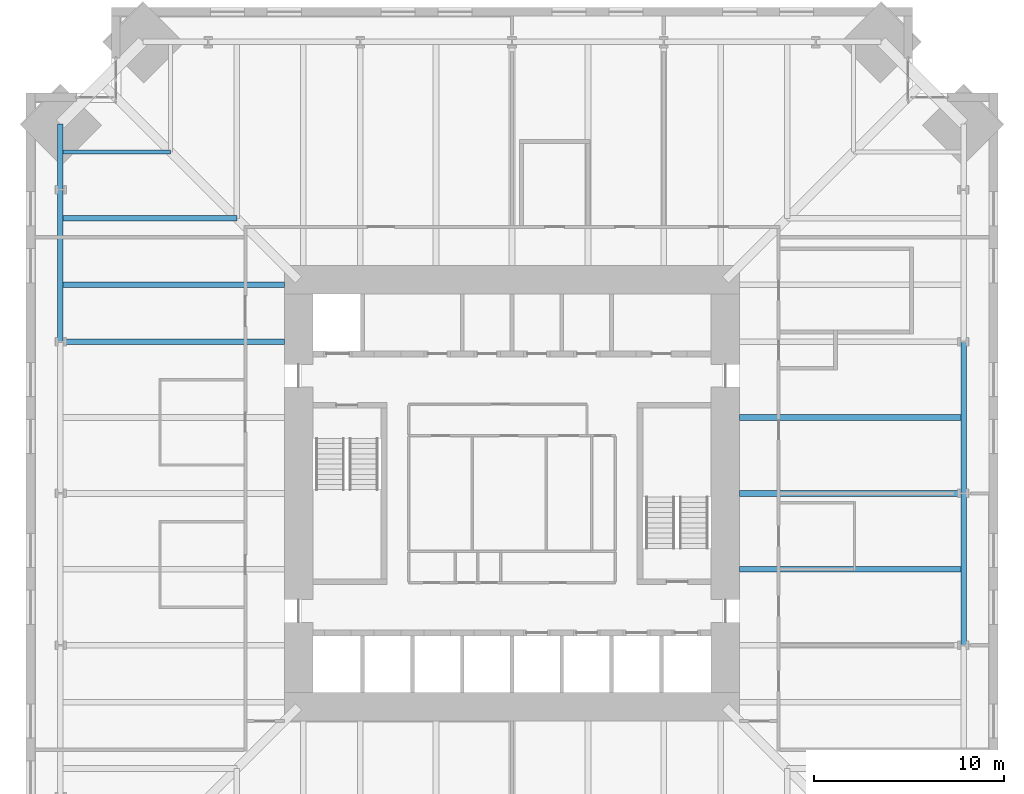
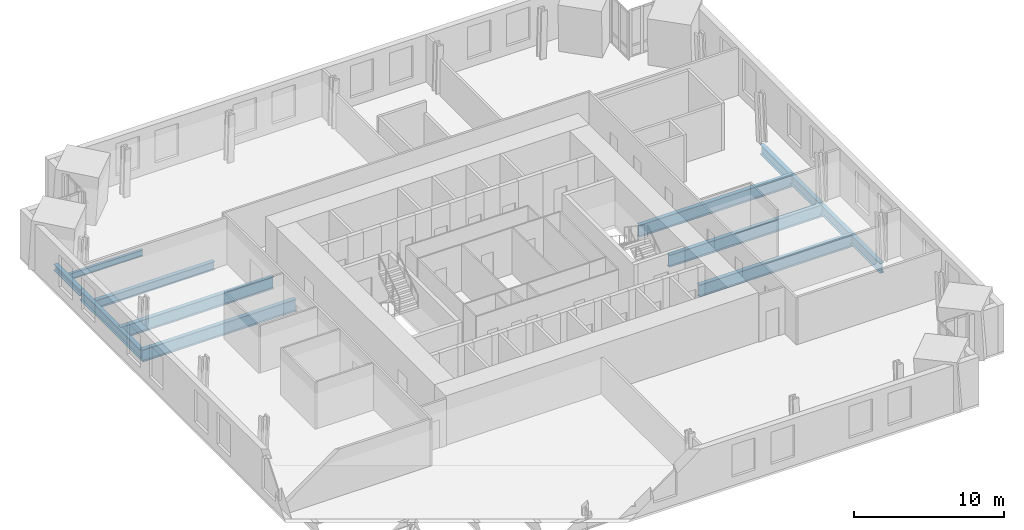
# One storey, part 5 of 18: 11 beams.
"""IFC4 building model written with IfcOpenShell, lengths in metres."""

from ifc_helpers import new_model, si_unit, direction, frame, origin, origin_2d, place, context, subcontext, project, spatial, i_section, extrude, material, material_profile, profile_set, type_object, element, save


model = new_model("IFC4")

# Units and contexts
model_context = context("Model", 3, precision=1e-05, world=origin(), true_north=direction((0.0, 1.0)))
body_context = subcontext(model_context, "Body", "Model", "MODEL_VIEW")
ifc_project = project(units=[si_unit("LENGTHUNIT", "METRE"), si_unit("AREAUNIT", "SQUARE_METRE"), si_unit("VOLUMEUNIT", "CUBIC_METRE"), si_unit("PLANEANGLEUNIT", "RADIAN"), si_unit("MASSUNIT", "GRAM", prefix="KILO")], contexts=[model_context])

# Site, building, storey
site_placement = place(None, origin())
site = spatial("IfcSite", under=ifc_project, at=site_placement, CompositionType="ELEMENT")
building_placement = place(site_placement, origin())
building = spatial("IfcBuilding", under=site, at=building_placement, Name="Peilmerk Tower", CompositionType="ELEMENT")
storey_placement = place(building_placement, frame((0.0, 0.0, 175.800048828125)))
storey = spatial("IfcBuildingStorey", under=building, at=storey_placement, Name="L37", CompositionType="ELEMENT", Elevation=175.800048828125)

# Beams
ifc_material = material(Name="Steel S355", Category="steel")
ifc_material_profile_1 = material_profile(ifc_material, i_section(OverallWidth=0.300048828125, OverallDepth=0.989990234375, WebThickness=0.0166015625, FlangeThickness=0.031005859375, at=origin_2d()), Name="HEA 1000")
ifc_profile_set_1 = profile_set([ifc_material_profile_1], Name="Steel S355")
beam_type_1 = type_object("IfcBeamType", Name="B14 HEA 1000 floor girder", PredefinedType="BEAM", material=ifc_profile_set_1)
for number, where, z_axis, x_axis, name in (
    (1, (12.0, -4.0, -0.6650390625), (1.0, 0.0, 0.0), (0.0, 1.0, 0.0), "Floor beam L37"),
    (2, (12.0, 0.0, -0.6650390625), (1.0, 0.0, 0.0), (0.0, 1.0, 0.0), "Floor beam L37"),
    (3, (12.0, 4.0, -0.6650390625), (1.0, 0.0, 0.0), (0.0, 1.0, 0.0), "Floor beam L37"),
    (4, (-12.0, 11.0, -0.6650390625), (-1.0, 0.0, 0.0), (0.0, -1.0, 0.0), "Floor beam L37"),
    (5, (-12.0, 8.0, -0.6650390625), (-1.0, 0.0, 0.0), (0.0, -1.0, 0.0), "Floor beam L37"),
):
    element("IfcBeam", number, at=place(storey_placement, frame(where, z_axis=z_axis, x_axis=x_axis)), inside=storey, type_object=beam_type_1, Name=name, PredefinedType="BEAM", context=body_context, shape_type="SweptSolid", body=[
        extrude(i_section(OverallWidth=0.300048828125, OverallDepth=0.989990234375, WebThickness=0.0166015625, FlangeThickness=0.031005859375, at=origin_2d()), origin(), (0.0, 0.0, 1.0), 11.80810546875),
    ])
ifc_material_profile_2 = material_profile(ifc_material, i_section(OverallWidth=0.302978515625, OverallDepth=0.81396484375, WebThickness=0.02099609375, FlangeThickness=0.0400390625, at=origin_2d()), Name="HEM 800")
ifc_profile_set_2 = profile_set([ifc_material_profile_2], Name="Steel S355")
beam_type_2 = type_object("IfcBeamType", Name="B15 HEM 800 edge beam", PredefinedType="SPANDREL", material=ifc_profile_set_2)
for number, where, z_axis, x_axis, name in (
    (6, (23.80810546875, -8.0, -0.5771484375), (0.0, 1.0, 0.0), (-1.0, 0.0, 0.0), "Edge beam L37"),
    (7, (23.80810546875, 0.0, -0.5771484375), (0.0, 1.0, 0.0), (-1.0, 0.0, 0.0), "Edge beam L37"),
    (8, (-23.80810546875, 16.0, -0.5771484375), (0.0, -1.0, 0.0), (1.0, 0.0, 0.0), "Edge beam L37"),
):
    element("IfcBeam", number, at=place(storey_placement, frame(where, z_axis=z_axis, x_axis=x_axis)), inside=storey, type_object=beam_type_2, Name=name, PredefinedType="SPANDREL", context=body_context, shape_type="SweptSolid", body=[
        extrude(i_section(OverallWidth=0.302978515625, OverallDepth=0.81396484375, WebThickness=0.02099609375, FlangeThickness=0.0400390625, at=origin_2d()), origin(), (0.0, 0.0, 1.0), 8.0),
    ])
ifc_material_profile_3 = material_profile(ifc_material, i_section(OverallWidth=0.300048828125, OverallDepth=0.68994140625, WebThickness=0.014404296875, FlangeThickness=0.027099609375, at=origin_2d()), Name="HEA 700")
ifc_profile_set_3 = profile_set([ifc_material_profile_3], Name="Steel S355")
beam_type_3 = type_object("IfcBeamType", Name="B16 HEA 700 floor beam", PredefinedType="BEAM", material=ifc_profile_set_3)
beam_1_placement = place(storey_placement, frame((-14.5, 14.5, -0.51513671875), z_axis=(-1.0, 0.0, 0.0), x_axis=(0.0, -1.0, 0.0)))
element("IfcBeam", 9, at=beam_1_placement, inside=storey, type_object=beam_type_3, Name="Floor beam L37", PredefinedType="BEAM", context=body_context, shape_type="SweptSolid", body=[
    extrude(i_section(OverallWidth=0.300048828125, OverallDepth=0.68994140625, WebThickness=0.014404296875, FlangeThickness=0.027099609375, at=origin_2d()), origin(), (0.0, 0.0, 1.0), 9.30810546875),
])
ifc_material_profile_4 = material_profile(ifc_material, i_section(OverallWidth=0.199951171875, OverallDepth=0.5, WebThickness=0.01025390625, FlangeThickness=0.01611328125, at=origin_2d()), Name="IPE 500")
ifc_profile_set_4 = profile_set([ifc_material_profile_4], Name="Steel S355")
beam_type_4 = type_object("IfcBeamType", Name="B32 IPE 500 floor beam", PredefinedType="BEAM", material=ifc_profile_set_4)
beam_2_placement = place(storey_placement, frame((-18.0, 18.0, -0.420166015625), z_axis=(-1.0, 0.0, 0.0), x_axis=(0.0, -1.0, 0.0)))
element("IfcBeam", 10, at=beam_2_placement, inside=storey, type_object=beam_type_4, Name="Floor beam L37", PredefinedType="BEAM", context=body_context, shape_type="SweptSolid", body=[
    extrude(i_section(OverallWidth=0.199951171875, OverallDepth=0.5, WebThickness=0.01025390625, FlangeThickness=0.01611328125, at=origin_2d()), origin(), (0.0, 0.0, 1.0), 5.80810546875),
])
ifc_material_profile_5 = material_profile(ifc_material, i_section(OverallWidth=0.305908203125, OverallDepth=0.52392578125, WebThickness=0.02099609375, FlangeThickness=0.0400390625, at=origin_2d()), Name="HEM 500")
ifc_profile_set_5 = profile_set([ifc_material_profile_5], Name="Steel S355")
beam_type_5 = type_object("IfcBeamType", Name="B33 HEM 500 edge beam", PredefinedType="SPANDREL", material=ifc_profile_set_5)
beam_3_placement = place(storey_placement, frame((-23.80810546875, 19.4580078125, -0.43212890625), z_axis=(0.0, -1.0, 0.0), x_axis=(1.0, 0.0, 0.0)))
element("IfcBeam", 11, at=beam_3_placement, inside=storey, type_object=beam_type_5, Name="Edge beam L37", PredefinedType="SPANDREL", context=body_context, shape_type="SweptSolid", body=[
    extrude(i_section(OverallWidth=0.305908203125, OverallDepth=0.52392578125, WebThickness=0.02099609375, FlangeThickness=0.0400390625, at=origin_2d()), origin(), (0.0, 0.0, 1.0), 3.4580078125),
])

save(model, "model.ifc")
